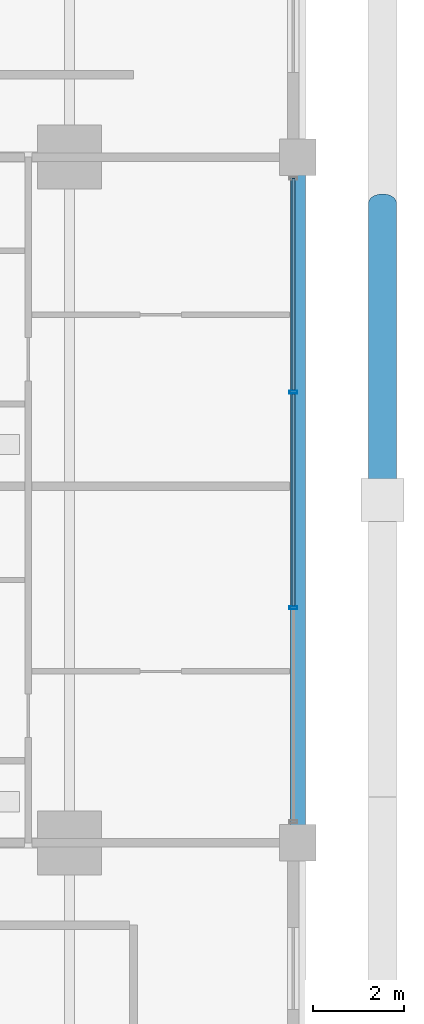
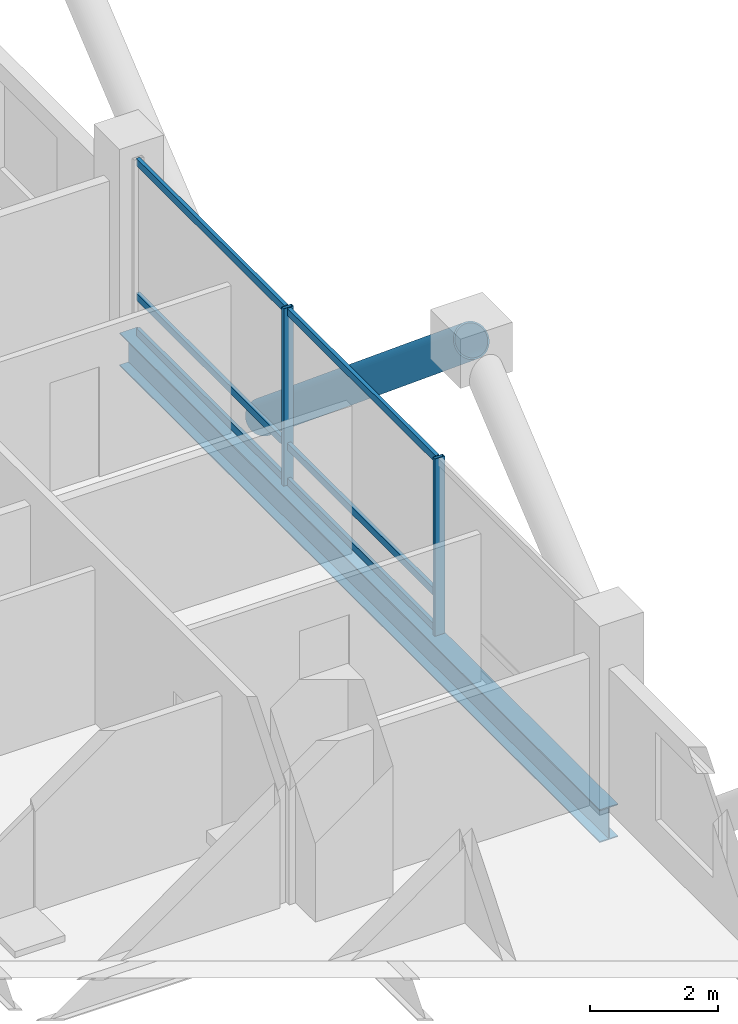
# One storey, part 10 of 23: 9 members, 1 beam, 1 element without a shape of its own.
"""IFC4 building model written with IfcOpenShell, lengths in metres."""

from ifc_helpers import new_model, si_unit, direction, frame, origin, origin_2d, place, context, subcontext, project, spatial, hollow_rectangle, hollow_circle, i_section, extrude, material, layer, layer_set, material_profile, profile_set, type_object, element, aggregate, save


model = new_model("IFC4")

# Units and contexts
model_context = context("Model", 3, precision=1e-05, world=origin(), true_north=direction((0.0, 1.0)))
body_context = subcontext(model_context, "Body", "Model", "MODEL_VIEW")
ifc_project = project(units=[si_unit("LENGTHUNIT", "METRE"), si_unit("AREAUNIT", "SQUARE_METRE"), si_unit("VOLUMEUNIT", "CUBIC_METRE"), si_unit("PLANEANGLEUNIT", "RADIAN"), si_unit("MASSUNIT", "GRAM", prefix="KILO")], contexts=[model_context])

# Site, building, storey
site_placement = place(None, origin())
site = spatial("IfcSite", under=ifc_project, at=site_placement, CompositionType="ELEMENT")
building_placement = place(site_placement, origin())
building = spatial("IfcBuilding", under=site, at=building_placement, Name="Barlavira Tower and Art Museum", CompositionType="ELEMENT")
storey_placement = place(building_placement, frame((0.0, 0.0, 68.39990234375)))
storey = spatial("IfcBuildingStorey", under=building, at=storey_placement, Name="L16", CompositionType="ELEMENT", Elevation=68.39990234375)

# Curtain wall, members
ifc_material_1 = material(Name="Low-iron coastal laminated glass", Category="glass")
ifc_layer = layer(ifc_material_1, 0.179931640625, Name="Low-iron coastal laminated glass")
ifc_layer_set = layer_set([ifc_layer], Name="Low-iron coastal laminated glass")
curtain_wall_type = type_object("IfcCurtainWallType", Name="Pale-Metal Unitised Curtain Wall Zone 1", PredefinedType="NOTDEFINED", material=ifc_layer_set)
curtain_wall_placement = place(storey_placement, origin())
curtain_wall = element("IfcCurtainWall", 1, at=curtain_wall_placement, inside=storey, type_object=curtain_wall_type, Name="L16 Curtain Wall CW1-L16-E-B3", PredefinedType="NOTDEFINED")
ifc_material_2 = material(Name="Pale anodised aluminium", Category="aluminium")
ifc_material_profile_1 = material_profile(ifc_material_2, hollow_rectangle(XDim=0.06494140625, YDim=0.179931640625, WallThickness=0.00390625, at=origin_2d()), Name="ALU-MULL 65x180x4")
ifc_profile_set_1 = profile_set([ifc_material_profile_1], Name="Pale anodised aluminium")
member_type_1 = type_object("IfcMemberType", Name="Curtain Wall Pale-Metal Mullion 65x180", PredefinedType="MULLION", material=ifc_profile_set_1)
member_1_placement = place(storey_placement, frame((21.89990234375, -2.360107421875, 0.0), z_axis=(0.0, 0.0, 1.0), x_axis=(0.0, 1.0, 0.0)))
member_1 = element("IfcMember", 2, at=member_1_placement, type_object=member_type_1, Name="CW1-L16-E-B3 Mullion 1", PredefinedType="MULLION", context=body_context, shape_type="SweptSolid", body=[
    extrude(hollow_rectangle(XDim=0.06494140625, YDim=0.179931640625, WallThickness=0.00390625, at=origin_2d()), origin(), (0.0, 0.0, 1.0), 3.380126953125),
])
member_2_placement = place(storey_placement, frame((21.89990234375, 2.360107421875, 0.0), z_axis=(0.0, 0.0, 1.0), x_axis=(0.0, 1.0, 0.0)))
member_2 = element("IfcMember", 3, at=member_2_placement, type_object=member_type_1, Name="CW1-L16-E-B3 Mullion 2", PredefinedType="MULLION", context=body_context, shape_type="SweptSolid", body=[
    extrude(hollow_rectangle(XDim=0.06494140625, YDim=0.179931640625, WallThickness=0.00390625, at=origin_2d()), origin(), (0.0, 0.0, 1.0), 3.380126953125),
])
ifc_material_profile_2 = material_profile(ifc_material_2, hollow_rectangle(XDim=0.06494140625, YDim=0.139892578125, WallThickness=0.00390625, at=origin_2d()), Name="ALU-TRAN 65x140x4")
ifc_profile_set_2 = profile_set([ifc_material_profile_2], Name="Pale anodised aluminium")
member_type_2 = type_object("IfcMemberType", Name="Curtain Wall Pale-Metal Transom 65x140", PredefinedType="USERDEFINED", material=ifc_profile_set_2)
member_3_placement = place(storey_placement, frame((21.89990234375, -2.31494140625, 0.070068359375), z_axis=(0.0, 1.0, 0.0), x_axis=(-1.0, 0.0, 0.0)))
member_3 = element("IfcMember", 4, at=member_3_placement, type_object=member_type_2, Name="CW1-L16-E-B3 Transom 1.1", ObjectType="TRANSOM", PredefinedType="USERDEFINED", context=body_context, shape_type="SweptSolid", body=[
    extrude(hollow_rectangle(XDim=0.06494140625, YDim=0.139892578125, WallThickness=0.00390625, at=origin_2d()), origin(), (0.0, 0.0, 1.0), 4.6298828125),
])
member_4_placement = place(storey_placement, frame((21.89990234375, -2.31494140625, 0.744140625), z_axis=(0.0, 1.0, 0.0), x_axis=(-1.0, 0.0, 0.0)))
member_4 = element("IfcMember", 5, at=member_4_placement, type_object=member_type_2, Name="CW1-L16-E-B3 Transom 1.2", ObjectType="TRANSOM", PredefinedType="USERDEFINED", context=body_context, shape_type="SweptSolid", body=[
    extrude(hollow_rectangle(XDim=0.06494140625, YDim=0.139892578125, WallThickness=0.00390625, at=origin_2d()), origin(), (0.0, 0.0, 1.0), 4.6298828125),
])
member_5_placement = place(storey_placement, frame((21.89990234375, -2.31494140625, 3.31005859375), z_axis=(0.0, 1.0, 0.0), x_axis=(-1.0, 0.0, 0.0)))
member_5 = element("IfcMember", 6, at=member_5_placement, type_object=member_type_2, Name="CW1-L16-E-B3 Transom 1.3", ObjectType="TRANSOM", PredefinedType="USERDEFINED", context=body_context, shape_type="SweptSolid", body=[
    extrude(hollow_rectangle(XDim=0.06494140625, YDim=0.139892578125, WallThickness=0.00390625, at=origin_2d()), origin(), (0.0, 0.0, 1.0), 4.6298828125),
])
member_6_placement = place(storey_placement, frame((21.89990234375, 2.405029296875, 0.070068359375), z_axis=(0.0, 1.0, 0.0), x_axis=(-1.0, 0.0, 0.0)))
member_6 = element("IfcMember", 7, at=member_6_placement, type_object=member_type_2, Name="CW1-L16-E-B3 Transom 2.1", ObjectType="TRANSOM", PredefinedType="USERDEFINED", context=body_context, shape_type="SweptSolid", body=[
    extrude(hollow_rectangle(XDim=0.06494140625, YDim=0.139892578125, WallThickness=0.00390625, at=origin_2d()), origin(), (0.0, 0.0, 1.0), 4.6298828125),
])
member_7_placement = place(storey_placement, frame((21.89990234375, 2.405029296875, 0.744140625), z_axis=(0.0, 1.0, 0.0), x_axis=(-1.0, 0.0, 0.0)))
member_7 = element("IfcMember", 8, at=member_7_placement, type_object=member_type_2, Name="CW1-L16-E-B3 Transom 2.2", ObjectType="TRANSOM", PredefinedType="USERDEFINED", context=body_context, shape_type="SweptSolid", body=[
    extrude(hollow_rectangle(XDim=0.06494140625, YDim=0.139892578125, WallThickness=0.00390625, at=origin_2d()), origin(), (0.0, 0.0, 1.0), 4.6298828125),
])
member_8_placement = place(storey_placement, frame((21.89990234375, 2.405029296875, 3.31005859375), z_axis=(0.0, 1.0, 0.0), x_axis=(-1.0, 0.0, 0.0)))
member_8 = element("IfcMember", 9, at=member_8_placement, type_object=member_type_2, Name="CW1-L16-E-B3 Transom 2.3", ObjectType="TRANSOM", PredefinedType="USERDEFINED", context=body_context, shape_type="SweptSolid", body=[
    extrude(hollow_rectangle(XDim=0.06494140625, YDim=0.139892578125, WallThickness=0.00390625, at=origin_2d()), origin(), (0.0, 0.0, 1.0), 4.6298828125),
])
aggregate(curtain_wall, [member_1, member_2, member_3, member_4, member_5, member_6, member_7, member_8])

# Member
ifc_material_3 = material(Name="Steel S355", Category="steel")
ifc_material_profile_3 = material_profile(ifc_material_3, hollow_circle(Radius=0.304931640625, WallThickness=0.028076171875, at=origin_2d()), Name="CHS 610.0x28.0")
ifc_profile_set_3 = profile_set([ifc_material_profile_3], Name="Steel S355")
member_type_3 = type_object("IfcMemberType", Name="Pale-Metal Exoskeleton Diagrid Tube CHS 610x28 Steel S355", PredefinedType="BRACE", material=ifc_profile_set_3)
member_9_placement = place(storey_placement, frame((23.85009765625, 6.5, -1.919921875), z_axis=(0.0, -0.769196053329, 0.639012857104), x_axis=(1.0, 0.0, 0.0)))
element("IfcMember", 10, at=member_9_placement, inside=storey, type_object=member_type_3, Name="L16 Exoskeleton Diagrid Tube E", PredefinedType="BRACE", context=body_context, shape_type="SweptSolid", body=[
    extrude(hollow_circle(Radius=0.304931640625, WallThickness=0.028076171875, at=origin_2d()), origin(), (0.0, 0.0, 1.0), 8.450439453125),
])

# Beam
ifc_material_profile_4 = material_profile(ifc_material_3, i_section(OverallWidth=0.327880859375, OverallDepth=0.62890625, WebThickness=0.013916015625, FlangeThickness=0.021484375, at=origin_2d()), Name="W610x174.0")
ifc_profile_set_4 = profile_set([ifc_material_profile_4], Name="Steel S355")
beam_type = type_object("IfcBeamType", Name="Perimeter Spandrel Edge Beam W610x174 Steel S355", PredefinedType="SPANDREL", material=ifc_profile_set_4)
beam_placement = place(storey_placement, frame((22.0, -7.5, -0.534423828125), z_axis=(0.0, 1.0, 0.0), x_axis=(-1.0, 0.0, 0.0)))
element("IfcBeam", 11, at=beam_placement, inside=storey, type_object=beam_type, Name="L16 Spandrel 6", PredefinedType="SPANDREL", context=body_context, shape_type="SweptSolid", body=[
    extrude(i_section(OverallWidth=0.327880859375, OverallDepth=0.62890625, WebThickness=0.013916015625, FlangeThickness=0.021484375, at=origin_2d()), origin(), (0.0, 0.0, 1.0), 15.0),
])

save(model, "model.ifc")
